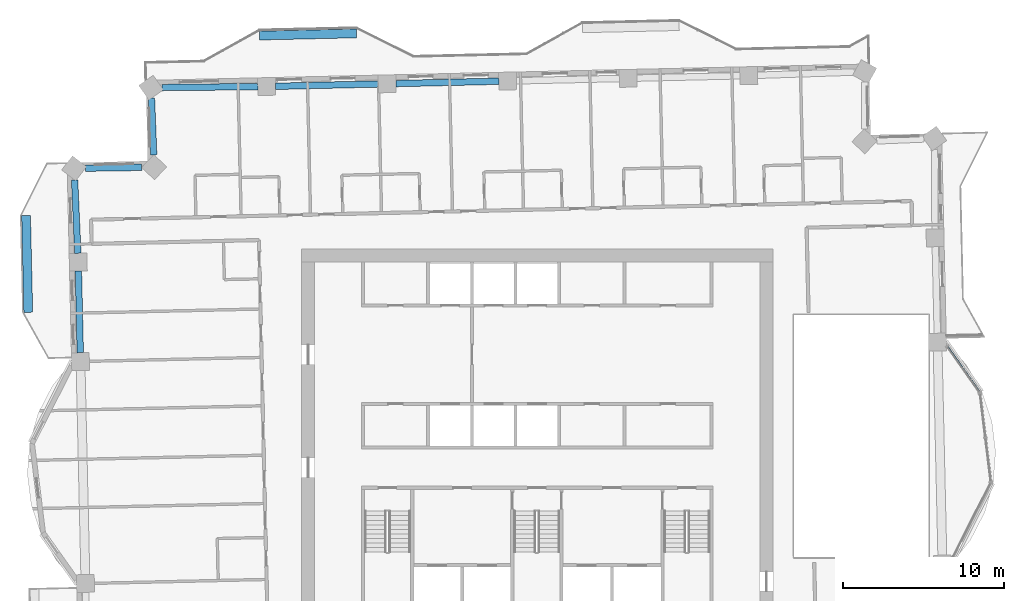
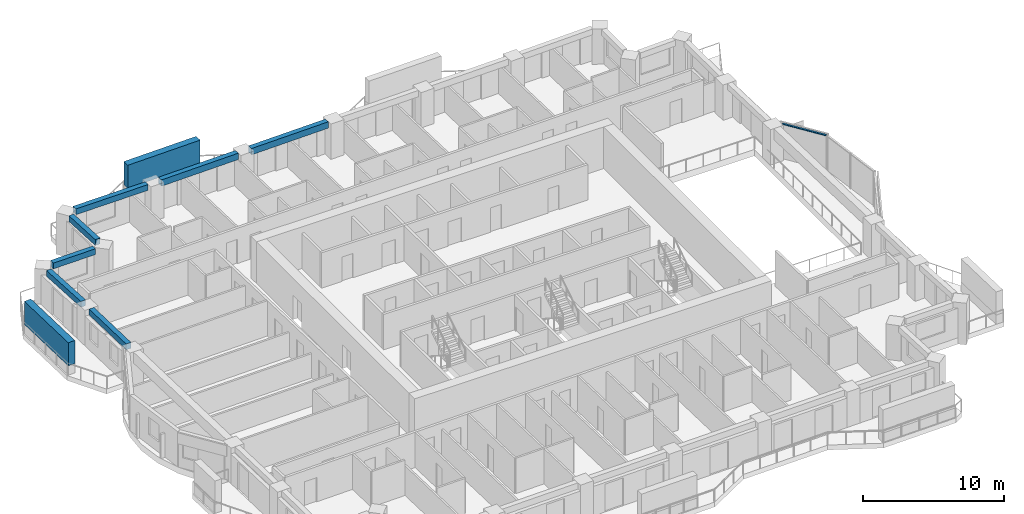
# One storey, part 3 of 17: 7 beams, 3 members, 1 element without a shape of its own.
"""IFC4 building model written with IfcOpenShell, lengths in metres."""

from ifc_helpers import new_model, si_unit, direction, frame, origin, origin_2d, place, context, subcontext, project, spatial, rectangle, extrude, material, material_profile, profile_set, type_object, element, aggregate, save


model = new_model("IFC4")

# Units and contexts
model_context = context("Model", 3, precision=1e-05, world=origin(), true_north=direction((0.0, 1.0)))
body_context = subcontext(model_context, "Body", "Model", "MODEL_VIEW")
ifc_project = project(units=[si_unit("LENGTHUNIT", "METRE"), si_unit("AREAUNIT", "SQUARE_METRE"), si_unit("VOLUMEUNIT", "CUBIC_METRE"), si_unit("PLANEANGLEUNIT", "RADIAN"), si_unit("MASSUNIT", "GRAM", prefix="KILO")], contexts=[model_context])

# Site, building, storey
site_placement = place(None, origin())
site = spatial("IfcSite", under=ifc_project, at=site_placement, CompositionType="ELEMENT")
building_placement = place(site_placement, origin())
building = spatial("IfcBuilding", under=site, at=building_placement, Name="Mangrove Gate Tower", CompositionType="ELEMENT")
storey_placement = place(building_placement, frame((0.0, 0.0, 238.300048828125)))
storey = spatial("IfcBuildingStorey", under=building, at=storey_placement, Name="L60", CompositionType="ELEMENT", Elevation=238.300048828125)

# Curtain wall, member
ifc_material_1 = material(Name="Aluminium and glass curtain wall", Category="aluminium")
curtain_wall_type = type_object("IfcCurtainWallType", Name="Atrium garden-court glazing wall", PredefinedType="NOTDEFINED", material=ifc_material_1)
curtain_wall_placement = place(storey_placement, origin())
curtain_wall = element("IfcCurtainWall", 1, at=curtain_wall_placement, inside=storey, type_object=curtain_wall_type, Name="Atrium garden-court glazing E1f3", PredefinedType="NOTDEFINED")
ifc_material_2 = material(Name="Aluminium alloy 6063-T6", Category="aluminium")
ifc_material_profile_1 = material_profile(ifc_material_2, rectangle(XDim=0.070068359375, YDim=0.14990234375, at=origin_2d()))
ifc_profile_set_1 = profile_set([ifc_material_profile_1], Name="Aluminium alloy 6063-T6")
member_type_1 = type_object("IfcMemberType", Name="Atrium garden-court glazing transom 70x150", PredefinedType="USERDEFINED", material=ifc_profile_set_1)
member_1_placement = place(storey_placement, frame((27.379150390625, 2.739013671875, 3.014892578125), z_axis=(-0.578122045982, 0.815950304829, 0.0), x_axis=(0.0, 0.0, 1.0)))
member_1 = element("IfcMember", 2, at=member_1_placement, type_object=member_type_1, Name="CWA transom 1.2", ObjectType="TRANSOM", PredefinedType="USERDEFINED", context=body_context, shape_type="SweptSolid", body=[
    extrude(rectangle(XDim=0.070068359375, YDim=0.14990234375, at=origin_2d()), origin(), (0.0, 0.0, 1.0), 3.4287109375),
])
aggregate(curtain_wall, [member_1])

# Members
ifc_material_3 = material(Name="Planting on aluminium trellis", Category="aluminium")
ifc_material_profile_2 = material_profile(ifc_material_3, rectangle(XDim=0.550048828125, YDim=2.0, at=origin_2d()))
ifc_profile_set_2 = profile_set([ifc_material_profile_2], Name="Planting on aluminium trellis")
member_type_2 = type_object("IfcMemberType", Name="Balcony greenery screen 550x2000", PredefinedType="USERDEFINED", material=ifc_profile_set_2)
member_2_placement = place(storey_placement, frame((-17.205078125, 24.818115234375, 1.800048828125), z_axis=(0.999743178102, 0.022662255828, 0.0), x_axis=(-0.022662255828, 0.999743178102, 0.0)))
element("IfcMember", 3, at=member_2_placement, inside=storey, type_object=member_type_2, Name="GREEN SCREEN L60 N1.1", ObjectType="PLANTING", PredefinedType="USERDEFINED", context=body_context, shape_type="SweptSolid", body=[
    extrude(rectangle(XDim=0.550048828125, YDim=2.0, at=origin_2d()), origin(), (0.0, 0.0, 1.0), 6.00048828125),
])
member_3_placement = place(storey_placement, frame((-31.5380859375, 7.673095703125, 1.800048828125), z_axis=(-0.022666865795, 0.999743073592, 0.0), x_axis=(-0.999743073592, -0.022666865795, 0.0)))
element("IfcMember", 4, at=member_3_placement, inside=storey, type_object=member_type_2, Name="GREEN SCREEN L60 W0.1", ObjectType="PLANTING", PredefinedType="USERDEFINED", context=body_context, shape_type="SweptSolid", body=[
    extrude(rectangle(XDim=0.550048828125, YDim=2.0, at=origin_2d()), origin(), (0.0, 0.0, 1.0), 5.999267578125),
])

# Beams
ifc_material_4 = material(Name="Concrete C50/60", Category="concrete")
ifc_material_profile_3 = material_profile(ifc_material_4, rectangle(XDim=0.39990234375, YDim=0.5, at=origin_2d()))
ifc_profile_set_3 = profile_set([ifc_material_profile_3], Name="Concrete C50/60")
beam_type_1 = type_object("IfcBeamType", Name="Edge beam RC 400x500 C50/60", PredefinedType="BEAM", material=ifc_profile_set_3)
beam_1_placement = place(storey_placement, frame((-17.318603515625, 21.65673828125, 2.800048828125), z_axis=(-0.999952232717, -0.009774061825, 0.0), x_axis=(0.009774061825, -0.999952232717, 0.0)))
element("IfcBeam", 5, at=beam_1_placement, inside=storey, type_object=beam_type_1, Name="Edge beam L60 24", PredefinedType="BEAM", context=body_context, shape_type="SweptSolid", body=[
    extrude(rectangle(XDim=0.39990234375, YDim=0.5, at=origin_2d()), origin(), (0.0, 0.0, 1.0), 5.94482421875),
])
beam_2_placement = place(storey_placement, frame((-23.905029296875, 20.93798828125, 2.800048828125), z_axis=(0.039412831172, -0.999223012515, 0.0), x_axis=(0.999223012515, 0.039412831172, 0.0)))
element("IfcBeam", 6, at=beam_2_placement, inside=storey, type_object=beam_type_1, Name="Edge beam L60 25", PredefinedType="BEAM", context=body_context, shape_type="SweptSolid", body=[
    extrude(rectangle(XDim=0.39990234375, YDim=0.5, at=origin_2d()), origin(), (0.0, 0.0, 1.0), 3.51220703125),
])
beam_3_placement = place(storey_placement, frame((-24.5078125, 16.653076171875, 2.800048828125), z_axis=(-0.999898017647, -0.014281257131, 0.0), x_axis=(0.014281257131, -0.999898017647, 0.0)))
element("IfcBeam", 7, at=beam_3_placement, inside=storey, type_object=beam_type_1, Name="Edge beam L60 26", PredefinedType="BEAM", context=body_context, shape_type="SweptSolid", body=[
    extrude(rectangle(XDim=0.39990234375, YDim=0.5, at=origin_2d()), origin(), (0.0, 0.0, 1.0), 3.4873046875),
])
beam_4_placement = place(storey_placement, frame((-28.66650390625, 15.873291015625, 2.800048828125), z_axis=(0.043817054044, -0.999039571676, 0.0), x_axis=(0.999039571676, 0.043817054044, 0.0)))
element("IfcBeam", 8, at=beam_4_placement, inside=storey, type_object=beam_type_1, Name="Edge beam L60 27", PredefinedType="BEAM", context=body_context, shape_type="SweptSolid", body=[
    extrude(rectangle(XDim=0.39990234375, YDim=0.5, at=origin_2d()), origin(), (0.0, 0.0, 1.0), 4.546630859375),
])
beam_5_placement = place(storey_placement, frame((-28.4306640625, 10.231689453125, 2.800048828125), z_axis=(0.022718118383, -0.999741910243, 0.0), x_axis=(0.999741910243, 0.022718118383, 0.0)))
element("IfcBeam", 9, at=beam_5_placement, inside=storey, type_object=beam_type_1, Name="Edge beam L60 28", PredefinedType="BEAM", context=body_context, shape_type="SweptSolid", body=[
    extrude(rectangle(XDim=0.39990234375, YDim=0.5, at=origin_2d()), origin(), (0.0, 0.0, 1.0), 5.0615234375),
])
ifc_material_5 = material(Name="Concrete C50/60", Category="concrete")
ifc_material_profile_4 = material_profile(ifc_material_5, rectangle(XDim=0.39990234375, YDim=0.550048828125, at=origin_2d()))
ifc_profile_set_4 = profile_set([ifc_material_profile_4], Name="Concrete C50/60")
beam_type_2 = type_object("IfcBeamType", Name="Edge beam RC 400x550 C50/60", PredefinedType="BEAM", material=ifc_profile_set_4)
beam_6_placement = place(storey_placement, frame((-2.386474609375, 21.988525390625, 2.77490234375), z_axis=(-0.999741518756, -0.0227353398, 0.0), x_axis=(0.0227353398, -0.999741518756, 0.0)))
element("IfcBeam", 10, at=beam_6_placement, inside=storey, type_object=beam_type_2, Name="Edge beam L60 22", PredefinedType="BEAM", context=body_context, shape_type="SweptSolid", body=[
    extrude(rectangle(XDim=0.39990234375, YDim=0.550048828125, at=origin_2d()), origin(), (0.0, 0.0, 1.0), 6.367919921875),
])
beam_7_placement = place(storey_placement, frame((-9.852294921875, 21.818603515625, 2.77490234375), z_axis=(-0.99974414608, -0.022619513218, 0.0), x_axis=(0.022619513218, -0.99974414608, 0.0)))
element("IfcBeam", 11, at=beam_7_placement, inside=storey, type_object=beam_type_2, Name="Edge beam L60 23", PredefinedType="BEAM", context=body_context, shape_type="SweptSolid", body=[
    extrude(rectangle(XDim=0.39990234375, YDim=0.550048828125, at=origin_2d()), origin(), (0.0, 0.0, 1.0), 6.3681640625),
])

save(model, "model.ifc")
